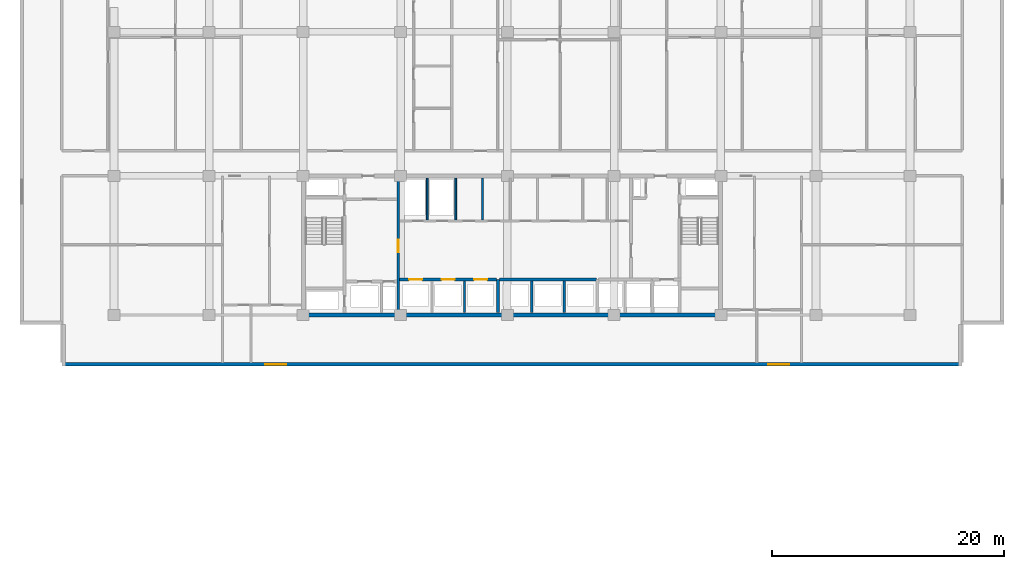
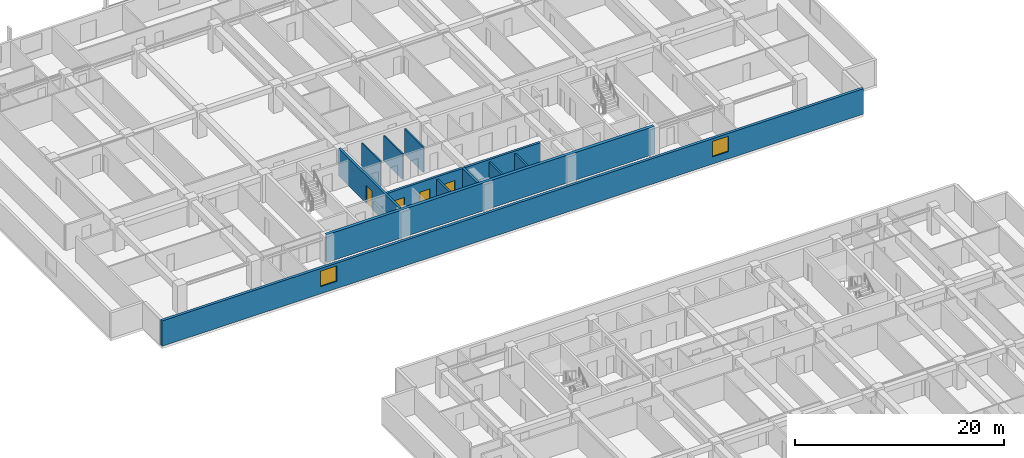
# One storey, part 10 of 23: 12 walls, 4 doors, 2 windows, 6 openings.
"""IFC4 building model written with IfcOpenShell, lengths in metres."""

from ifc_helpers import new_model, si_unit, direction, frame, frame_2d, origin, place, context, subcontext, project, spatial, rectangle, extrude, material, layer, layer_set, type_object, element, fill, save


model = new_model("IFC4")

# Units and contexts
model_context = context("Model", 3, precision=1e-05, world=origin(), true_north=direction((0.0, 1.0)))
body_context = subcontext(model_context, "Body", "Model", "MODEL_VIEW")
ifc_project = project(units=[si_unit("LENGTHUNIT", "METRE"), si_unit("AREAUNIT", "SQUARE_METRE"), si_unit("VOLUMEUNIT", "CUBIC_METRE"), si_unit("PLANEANGLEUNIT", "RADIAN"), si_unit("MASSUNIT", "GRAM", prefix="KILO")], contexts=[model_context])

# Site, building, storey
site_placement = place(None, origin())
site = spatial("IfcSite", under=ifc_project, at=site_placement, CompositionType="ELEMENT")
building_placement = place(site_placement, origin())
building = spatial("IfcBuilding", under=site, at=building_placement, Name="Korimba Cascade Residences", CompositionType="ELEMENT")
storey_placement = place(building_placement, frame((0.0, 0.0, 50.0)))
storey = spatial("IfcBuildingStorey", under=building, at=storey_placement, Name="L13", CompositionType="ELEMENT", Elevation=50.0)

# Wall, openings, windows
ifc_material_1 = material(Name="Precast concrete C40/50", Category="concrete")
ifc_layer_1 = layer(ifc_material_1, 0.300048828125)
ifc_layer_set_1 = layer_set([ifc_layer_1], Name="Precast concrete C40/50")
wall_type_1 = type_object("IfcWallType", Name="EW-STONE-300", PredefinedType="STANDARD", material=ifc_layer_set_1)
wall_1_placement = place(storey_placement, frame((55.300048828125, 50.949951171875, 0.0), z_axis=(0.0, 0.0, 1.0), x_axis=(1.0, 0.0, 0.0)))
wall_1 = element("IfcWall", 1, at=wall_1_placement, inside=storey, type_object=wall_type_1, Name="L13 T1 Perimeter Stone Wall E00", PredefinedType="STANDARD", context=body_context, shape_type="SweptSolid", body=[
    extrude(rectangle(XDim=77.599853515625, YDim=0.300048828125, at=frame_2d((38.7998046875, 0.0))), origin(), (0.0, 0.0, 1.0), 2.969970703125),
])
opening_1_placement = place(wall_1_placement, frame((17.52490234375, 0.0, 0.85009765625)))
opening_1 = element("IfcOpeningElement", 2, at=opening_1_placement, cuts=wall_1, Name="Opening W-02", PredefinedType="OPENING", context=body_context, shape_type="SweptSolid", body=[
    extrude(rectangle(XDim=1.800048828125, YDim=1.800048828125, at=frame_2d((0.89990234375, 0.89990234375))), frame((0.0, 0.16015625, 0.0), z_axis=(0.0, -1.0, 0.0), x_axis=(1.0, 0.0, 0.0)), (0.0, 0.0, 1.0), 0.320068359375),
])
opening_2_placement = place(wall_1_placement, frame((60.875, 0.0, 0.85009765625)))
opening_2 = element("IfcOpeningElement", 3, at=opening_2_placement, cuts=wall_1, Name="Opening W-02", PredefinedType="OPENING", context=body_context, shape_type="SweptSolid", body=[
    extrude(rectangle(XDim=1.800048828125, YDim=1.800048828125, at=frame_2d((0.89990234375, 0.89990234375))), frame((0.0, 0.16015625, 0.0), z_axis=(0.0, -1.0, 0.0), x_axis=(1.0, 0.0, 0.0)), (0.0, 0.0, 1.0), 0.320068359375),
])
ifc_material_2 = material(Name="Double-Glazed Aluminium Window", Category="aluminium")
window_type = type_object("IfcWindowType", Name="WIN-BED-1800", PartitioningType="SINGLE_PANEL", PredefinedType="WINDOW", material=ifc_material_2)
window_1_placement = place(opening_1_placement, origin())
window_1 = element("IfcWindow", 4, at=window_1_placement, inside=storey, type_object=window_type, Name="L13 T1 South Corner Bedroom Window 1", OverallHeight=1.800048828125, OverallWidth=1.800048828125, PartitioningType="SINGLE_PANEL", PredefinedType="WINDOW", context=body_context, shape_type="SweptSolid", body=[
    extrude(rectangle(XDim=1.800048828125, YDim=1.800048828125, at=frame_2d((0.89990234375, 0.89990234375))), frame((0.0, 0.030029296875, 0.0), z_axis=(0.0, -1.0, 0.0), x_axis=(1.0, 0.0, 0.0)), (0.0, 0.0, 1.0), 0.06005859375),
])
fill(opening_1, window_1)
window_2_placement = place(opening_2_placement, origin())
window_2 = element("IfcWindow", 5, at=window_2_placement, inside=storey, type_object=window_type, Name="L13 T1 South Corner Bedroom Window 2", OverallHeight=1.800048828125, OverallWidth=1.800048828125, PartitioningType="SINGLE_PANEL", PredefinedType="WINDOW", context=body_context, shape_type="SweptSolid", body=[
    extrude(rectangle(XDim=1.800048828125, YDim=1.800048828125, at=frame_2d((0.89990234375, 0.89990234375))), frame((0.0, 0.030029296875, 0.0), z_axis=(0.0, -1.0, 0.0), x_axis=(1.0, 0.0, 0.0)), (0.0, 0.0, 1.0), 0.06005859375),
])
fill(opening_2, window_2)

# Walls
ifc_material_3 = material(Name="Concrete C65/80", Category="concrete")
ifc_layer_2 = layer(ifc_material_3, 0.35009765625)
ifc_layer_set_2 = layer_set([ifc_layer_2], Name="Concrete C65/80")
wall_type_2 = type_object("IfcWallType", Name="WAL-CORE-350", PredefinedType="SHEAR", material=ifc_layer_set_2)
wall_2_placement = place(storey_placement, frame((75.949951171875, 55.199951171875, 0.0), z_axis=(0.0, 0.0, 1.0), x_axis=(1.0, 0.0, 0.0)))
element("IfcWall", 6, at=wall_2_placement, inside=storey, type_object=wall_type_2, Name="L13 Core Shear Wall CW-L13-T1-S", PredefinedType="SHEAR", context=body_context, shape_type="SweptSolid", body=[
    extrude(rectangle(XDim=36.300048828125, YDim=0.35009765625, at=frame_2d((18.14990234375, 0.0))), origin(), (0.0, 0.0, 1.0), 3.25),
])
ifc_material_4 = material(Name="Insulated Acoustic Stud Partition", Category="gypsum")
ifc_layer_3 = layer(ifc_material_4, 0.14990234375)
ifc_layer_set_3 = layer_set([ifc_layer_3], Name="Insulated Acoustic Stud Partition")
wall_type_3 = type_object("IfcWallType", Name="WAL-PART-150", PredefinedType="PARTITIONING", material=ifc_layer_set_3)
for number, where, z_axis, x_axis, name in (
    (7, (86.800048828125, 63.39990234375, 0.0), (0.0, 0.0, 1.0), (0.0, 1.0, 0.0), "L13 Partition Wall CW-L13-T1-ERDIV"),
    (8, (89.25, 63.39990234375, 0.0), (0.0, 0.0, 1.0), (0.0, 1.0, 0.0), "L13 Partition Wall CW-L13-T1-PRDIV"),
    (9, (91.550048828125, 63.39990234375, 0.0), (0.0, 0.0, 1.0), (0.0, 1.0, 0.0), "L13 Partition Wall CW-L13-T1-CA1W1"),
):
    element("IfcWall", number, at=place(storey_placement, frame(where, z_axis=z_axis, x_axis=x_axis)), inside=storey, type_object=wall_type_3, Name=name, PredefinedType="PARTITIONING", context=body_context, shape_type="SweptSolid", body=[
        extrude(rectangle(XDim=3.60009765625, YDim=0.14990234375, at=frame_2d((1.800048828125, 0.0))), origin(), (0.0, 0.0, 1.0), 2.969970703125),
    ])
ifc_material_5 = material(Name="Concrete C40/50", Category="concrete")
ifc_layer_4 = layer(ifc_material_5, 0.199951171875)
ifc_layer_set_4 = layer_set([ifc_layer_4], Name="Concrete C40/50")
wall_type_4 = type_object("IfcWallType", Name="WAL-PART-200", PredefinedType="PARTITIONING", material=ifc_layer_set_4)
for number, where, z_axis, x_axis, name in (
    (10, (90.0, 55.39990234375, 0.0), (0.0, 0.0, 1.0), (0.0, 1.0, 0.0), "L13 Partition Wall CW-L13-T1-B1D2"),
    (11, (95.800048828125, 55.39990234375, 0.0), (0.0, 0.0, 1.0), (0.0, 1.0, 0.0), "L13 Partition Wall CW-L13-T1-B2D1"),
    (12, (98.60009765625, 55.39990234375, 0.0), (0.0, 0.0, 1.0), (0.0, 1.0, 0.0), "L13 Partition Wall CW-L13-T1-B2D2"),
):
    element("IfcWall", number, at=place(storey_placement, frame(where, z_axis=z_axis, x_axis=x_axis)), inside=storey, type_object=wall_type_4, Name=name, PredefinedType="PARTITIONING", context=body_context, shape_type="SweptSolid", body=[
        extrude(rectangle(XDim=2.72021484375, YDim=0.199951171875, at=frame_2d((1.360107421875, 0.0))), origin(), (0.0, 0.0, 1.0), 2.969970703125),
    ])

# Wall, opening, door
ifc_material_6 = material(Name="Concrete C50/60", Category="concrete")
ifc_layer_5 = layer(ifc_material_6, 0.25)
ifc_layer_set_5 = layer_set([ifc_layer_5], Name="Concrete C50/60")
wall_type_5 = type_object("IfcWallType", Name="WAL-SHAFT-250", PredefinedType="SHEAR", material=ifc_layer_set_5)
wall_3_placement = place(storey_placement, frame((84.300048828125, 55.39990234375, 0.0), z_axis=(0.0, 0.0, 1.0), x_axis=(0.0, 1.0, 0.0)))
wall_3 = element("IfcWall", 13, at=wall_3_placement, inside=storey, type_object=wall_type_5, Name="L13 Core Shear Wall CW-L13-T1-FFLE", PredefinedType="SHEAR", context=body_context, shape_type="SweptSolid", body=[
    extrude(rectangle(XDim=11.60009765625, YDim=0.25, at=frame_2d((5.800048828125, 0.0))), origin(), (0.0, 0.0, 1.0), 3.25),
])
opening_3_placement = place(wall_3_placement, frame((5.199951171875, 0.0, 0.0)))
opening_3 = element("IfcOpeningElement", 14, at=opening_3_placement, cuts=wall_3, Name="Opening D-FD1", PredefinedType="OPENING", context=body_context, shape_type="SweptSolid", body=[
    extrude(rectangle(XDim=1.10009765625, YDim=2.10009765625, at=frame_2d((0.550048828125, 1.050048828125))), frame((0.0, 0.135009765625, 0.0), z_axis=(0.0, -1.0, 0.0), x_axis=(1.0, 0.0, 0.0)), (0.0, 0.0, 1.0), 0.27001953125),
])
ifc_material_7 = material(Name="Fire-Rated Steel Core Door", Category="steel")
door_type_1 = type_object("IfcDoorType", Name="DR-FD120-1100", OperationType="NOTDEFINED", PredefinedType="DOOR", material=ifc_material_7)
door_1_placement = place(opening_3_placement, origin())
door_1 = element("IfcDoor", 15, at=door_1_placement, inside=storey, type_object=door_type_1, Name="L13 Firefighting Lobby to Lift Lobby Door", OperationType="SINGLE_SWING_RIGHT", OverallHeight=2.10009765625, OverallWidth=1.10009765625, PredefinedType="DOOR", context=body_context, shape_type="SweptSolid", body=[
    extrude(rectangle(XDim=1.10009765625, YDim=2.10009765625, at=frame_2d((0.550048828125, 1.050048828125))), frame((0.0, 0.02490234375, 0.0), z_axis=(0.0, -1.0, 0.0), x_axis=(1.0, 0.0, 0.0)), (0.0, 0.0, 1.0), 0.050048828125),
])
fill(opening_3, door_1)

# Wall, openings, doors
wall_4_placement = place(storey_placement, frame((84.419921875, 58.25, 0.0), z_axis=(0.0, 0.0, 1.0), x_axis=(1.0, 0.0, 0.0)))
wall_4 = element("IfcWall", 16, at=wall_4_placement, inside=storey, type_object=wall_type_5, Name="L13 Core Shear Wall CW-L13-T1-B1N", PredefinedType="SHEAR", context=body_context, shape_type="SweptSolid", body=[
    extrude(rectangle(XDim=8.360107421875, YDim=0.25, at=frame_2d((4.18017578125, 0.0))), origin(), (0.0, 0.0, 1.0), 3.25),
])
opening_4_placement = place(wall_4_placement, frame((0.820068359375, 0.0, 0.0)))
opening_4 = element("IfcOpeningElement", 17, at=opening_4_placement, cuts=wall_4, Name="Opening LD-01", PredefinedType="OPENING", context=body_context, shape_type="SweptSolid", body=[
    extrude(rectangle(XDim=1.1201171875, YDim=2.1201171875, at=frame_2d((0.56005859375, 1.06005859375))), frame((0.0, 0.135009765625, 0.0), z_axis=(0.0, -1.0, 0.0), x_axis=(1.0, 0.0, 0.0)), (0.0, 0.0, 1.0), 0.27001953125),
])
opening_5_placement = place(wall_4_placement, frame((3.6201171875, 0.0, 0.0)))
opening_5 = element("IfcOpeningElement", 18, at=opening_5_placement, cuts=wall_4, Name="Opening LD-01", PredefinedType="OPENING", context=body_context, shape_type="SweptSolid", body=[
    extrude(rectangle(XDim=1.1201171875, YDim=2.1201171875, at=frame_2d((0.56005859375, 1.06005859375))), frame((0.0, 0.135009765625, 0.0), z_axis=(0.0, -1.0, 0.0), x_axis=(1.0, 0.0, 0.0)), (0.0, 0.0, 1.0), 0.27001953125),
])
opening_6_placement = place(wall_4_placement, frame((6.419921875, 0.0, 0.0)))
opening_6 = element("IfcOpeningElement", 19, at=opening_6_placement, cuts=wall_4, Name="Opening LD-01", PredefinedType="OPENING", context=body_context, shape_type="SweptSolid", body=[
    extrude(rectangle(XDim=1.1201171875, YDim=2.1201171875, at=frame_2d((0.56005859375, 1.06005859375))), frame((0.0, 0.135009765625, 0.0), z_axis=(0.0, -1.0, 0.0), x_axis=(1.0, 0.0, 0.0)), (0.0, 0.0, 1.0), 0.27001953125),
])
ifc_material_8 = material(Name="Stainless Steel Lift Landing Sliding Door", Category="steel")
door_type_2 = type_object("IfcDoorType", Name="DR-LIFT-1100", OperationType="NOTDEFINED", PredefinedType="DOOR", material=ifc_material_8)
door_2_placement = place(opening_4_placement, origin())
door_2 = element("IfcDoor", 20, at=door_2_placement, inside=storey, type_object=door_type_2, Name="L13 Lift Landing Door PL-W1", OperationType="SLIDING_TO_LEFT", OverallHeight=2.1201171875, OverallWidth=1.1201171875, PredefinedType="DOOR", context=body_context, shape_type="SweptSolid", body=[
    extrude(rectangle(XDim=1.1201171875, YDim=2.1201171875, at=frame_2d((0.56005859375, 1.06005859375))), frame((0.0, 0.02490234375, 0.0), z_axis=(0.0, -1.0, 0.0), x_axis=(1.0, 0.0, 0.0)), (0.0, 0.0, 1.0), 0.050048828125),
])
fill(opening_4, door_2)
door_3_placement = place(opening_5_placement, origin())
door_3 = element("IfcDoor", 21, at=door_3_placement, inside=storey, type_object=door_type_2, Name="L13 Lift Landing Door PL-W2", OperationType="SLIDING_TO_LEFT", OverallHeight=2.1201171875, OverallWidth=1.1201171875, PredefinedType="DOOR", context=body_context, shape_type="SweptSolid", body=[
    extrude(rectangle(XDim=1.1201171875, YDim=2.1201171875, at=frame_2d((0.56005859375, 1.06005859375))), frame((0.0, 0.02490234375, 0.0), z_axis=(0.0, -1.0, 0.0), x_axis=(1.0, 0.0, 0.0)), (0.0, 0.0, 1.0), 0.050048828125),
])
fill(opening_5, door_3)
door_4_placement = place(opening_6_placement, origin())
door_4 = element("IfcDoor", 22, at=door_4_placement, inside=storey, type_object=door_type_2, Name="L13 Lift Landing Door PL-W3", OperationType="SLIDING_TO_LEFT", OverallHeight=2.1201171875, OverallWidth=1.1201171875, PredefinedType="DOOR", context=body_context, shape_type="SweptSolid", body=[
    extrude(rectangle(XDim=1.1201171875, YDim=2.1201171875, at=frame_2d((0.56005859375, 1.06005859375))), frame((0.0, 0.02490234375, 0.0), z_axis=(0.0, -1.0, 0.0), x_axis=(1.0, 0.0, 0.0)), (0.0, 0.0, 1.0), 0.050048828125),
])
fill(opening_6, door_4)

# Walls
wall_5_placement = place(storey_placement, frame((92.89990234375, 55.39990234375, 0.0), z_axis=(0.0, 0.0, 1.0), x_axis=(0.0, 1.0, 0.0)))
element("IfcWall", 23, at=wall_5_placement, inside=storey, type_object=wall_type_5, Name="L13 Core Shear Wall CW-L13-T1-B12DIV", PredefinedType="SHEAR", context=body_context, shape_type="SweptSolid", body=[
    extrude(rectangle(XDim=2.85009765625, YDim=0.25, at=frame_2d((1.425048828125, 0.0))), origin(), (0.0, 0.0, 1.0), 3.25),
])
wall_6_placement = place(storey_placement, frame((93.02001953125, 58.25, 0.0), z_axis=(0.0, 0.0, 1.0), x_axis=(1.0, 0.0, 0.0)))
element("IfcWall", 24, at=wall_6_placement, inside=storey, type_object=wall_type_5, Name="L13 Core Shear Wall CW-L13-T1-B2N", PredefinedType="SHEAR", context=body_context, shape_type="SweptSolid", body=[
    extrude(rectangle(XDim=8.35986328125, YDim=0.25, at=frame_2d((4.179931640625, 0.0))), origin(), (0.0, 0.0, 1.0), 3.25),
])

save(model, "model.ifc")
